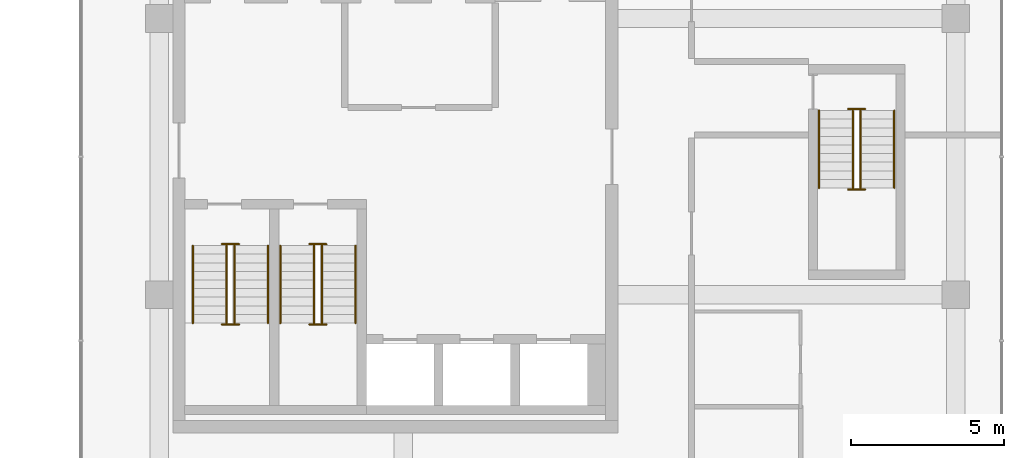
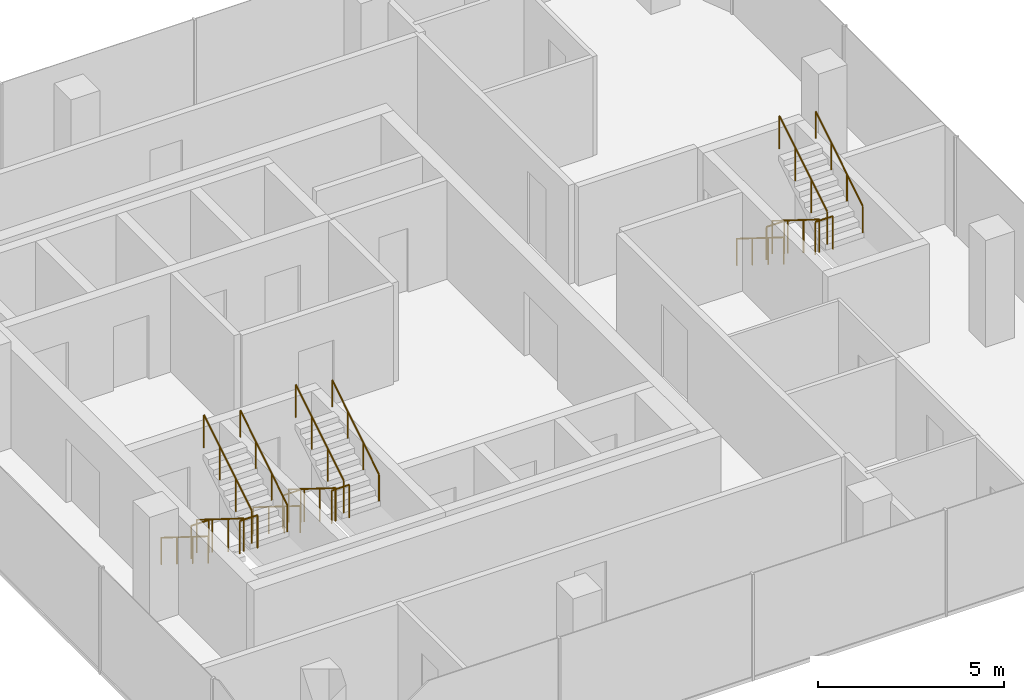
# One storey, part 22 of 22: 18 railings.
"""IFC4 building model written with IfcOpenShell, lengths in metres."""

from ifc_helpers import new_model, si_unit, direction, frame, origin, origin_2d, place, context, subcontext, project, spatial, circle, extrude, material, type_object, element, save


model = new_model("IFC4")

# Units and contexts
model_context = context("Model", 3, precision=1e-05, world=origin(), true_north=direction((0.0, 1.0)))
body_context = subcontext(model_context, "Body", "Model", "MODEL_VIEW")
ifc_project = project(units=[si_unit("LENGTHUNIT", "METRE"), si_unit("AREAUNIT", "SQUARE_METRE"), si_unit("VOLUMEUNIT", "CUBIC_METRE"), si_unit("PLANEANGLEUNIT", "RADIAN"), si_unit("MASSUNIT", "GRAM", prefix="KILO")], contexts=[model_context])

# Site, building, storey
site_placement = place(None, origin())
site = spatial("IfcSite", under=ifc_project, at=site_placement, CompositionType="ELEMENT")
building_placement = place(site_placement, origin())
building = spatial("IfcBuilding", under=site, at=building_placement, Name="Plateau Cross Towers", CompositionType="ELEMENT")
storey_placement = place(building_placement, frame((0.0, 0.0, 106.300048828125)))
storey = spatial("IfcBuildingStorey", under=building, at=storey_placement, Name="L27", CompositionType="ELEMENT", Elevation=106.300048828125)

# Railings
ifc_material_1 = material(Name="Stainless steel and toughened glass", Category="steel")
railing_type_1 = type_object("IfcRailingType", Name="RL-GUARD-1100", PredefinedType="GUARDRAIL", material=ifc_material_1)
railing_1_placement = place(storey_placement, frame((76.75, 6.10009765625, 0.175048828125)))
element("IfcRailing", 1, at=railing_1_placement, inside=storey, type_object=railing_type_1, Name="L27 SB-1 stair guard 1", PredefinedType="GUARDRAIL", context=body_context, shape_type="SweptSolid", body=[
    extrude(circle(Radius=0.02392578125, at=origin_2d()), frame((0.0, 0.0, 1.076171875), z_axis=(0.0, -0.848007534815, 0.529984170421), x_axis=(1.0, 0.0, 0.0)), (0.0, 0.0, 1.0), 2.9716796875),
    extrude(circle(Radius=0.02099609375, at=origin_2d()), origin(), (0.0, 0.0, 1.0), 1.052001953125),
    extrude(circle(Radius=0.02099609375, at=origin_2d()), frame((0.0, -0.840087890625, 0.52490234375)), (0.0, 0.0, 1.0), 1.052001953125),
    extrude(circle(Radius=0.02099609375, at=origin_2d()), frame((0.0, -1.679931640625, 1.050048828125)), (0.0, 0.0, 1.0), 1.052001953125),
    extrude(circle(Radius=0.02099609375, at=origin_2d()), frame((0.0, -2.52001953125, 1.574951171875)), (0.0, 0.0, 1.0), 1.052001953125),
])
railing_2_placement = place(storey_placement, frame((76.60009765625, 3.530029296875, 1.75)))
element("IfcRailing", 2, at=railing_2_placement, inside=storey, type_object=railing_type_1, Name="L27 SB-1 stair guard 2", PredefinedType="GUARDRAIL", context=body_context, shape_type="SweptSolid", body=[
    extrude(circle(Radius=0.02392578125, at=origin_2d()), frame((0.0, 0.0, 1.076171875), z_axis=(1.0, 0.0, 0.0), x_axis=(0.0, 1.0, 0.0)), (0.0, 0.0, 1.0), 0.5498046875),
    extrude(circle(Radius=0.02099609375, at=origin_2d()), origin(), (0.0, 0.0, 1.0), 1.052001953125),
    extrude(circle(Radius=0.02099609375, at=origin_2d()), frame((0.5498046875, 0.0, 0.0)), (0.0, 0.0, 1.0), 1.052001953125),
])
railing_3_placement = place(storey_placement, frame((77.0, 3.580078125, 1.925048828125)))
element("IfcRailing", 3, at=railing_3_placement, inside=storey, type_object=railing_type_1, Name="L27 SB-1 stair guard 3", PredefinedType="GUARDRAIL", context=body_context, shape_type="SweptSolid", body=[
    extrude(circle(Radius=0.02392578125, at=origin_2d()), frame((0.0, 0.0, 1.076171875), z_axis=(0.0, 0.852616386126, 0.522537365276), x_axis=(-1.0, 0.0, 0.0)), (0.0, 0.0, 1.0), 3.01416015625),
    extrude(circle(Radius=0.02099609375, at=origin_2d()), origin(), (0.0, 0.0, 1.0), 1.052001953125),
    extrude(circle(Radius=0.02099609375, at=origin_2d()), frame((0.0, 0.856689453125, 0.52490234375)), (0.0, 0.0, 1.0), 1.052001953125),
    extrude(circle(Radius=0.02099609375, at=origin_2d()), frame((0.0, 1.713134765625, 1.050048828125)), (0.0, 0.0, 1.0), 1.052001953125),
    extrude(circle(Radius=0.02099609375, at=origin_2d()), frame((0.0, 2.56982421875, 1.574951171875)), (0.0, 0.0, 1.0), 1.052001953125),
])
railing_4_placement = place(storey_placement, frame((76.60009765625, 6.14990234375, 0.0)))
element("IfcRailing", 4, at=railing_4_placement, inside=storey, type_object=railing_type_1, Name="L27 SB-1 stair guard 4", PredefinedType="GUARDRAIL", context=body_context, shape_type="SweptSolid", body=[
    extrude(circle(Radius=0.02392578125, at=origin_2d()), frame((0.0, 0.0, 1.076171875), z_axis=(1.0, 0.0, 0.0), x_axis=(0.0, 1.0, 0.0)), (0.0, 0.0, 1.0), 0.5498046875),
    extrude(circle(Radius=0.02099609375, at=origin_2d()), origin(), (0.0, 0.0, 1.0), 1.052001953125),
    extrude(circle(Radius=0.02099609375, at=origin_2d()), frame((0.5498046875, 0.0, 0.0)), (0.0, 0.0, 1.0), 1.052001953125),
])
railing_5_placement = place(storey_placement, frame((79.60009765625, 6.10009765625, 0.175048828125)))
element("IfcRailing", 5, at=railing_5_placement, inside=storey, type_object=railing_type_1, Name="L27 SB-2 stair guard 1", PredefinedType="GUARDRAIL", context=body_context, shape_type="SweptSolid", body=[
    extrude(circle(Radius=0.02392578125, at=origin_2d()), frame((0.0, 0.0, 1.076171875), z_axis=(0.0, -0.848007534815, 0.529984170421), x_axis=(1.0, 0.0, 0.0)), (0.0, 0.0, 1.0), 2.9716796875),
    extrude(circle(Radius=0.02099609375, at=origin_2d()), origin(), (0.0, 0.0, 1.0), 1.052001953125),
    extrude(circle(Radius=0.02099609375, at=origin_2d()), frame((0.0, -0.840087890625, 0.52490234375)), (0.0, 0.0, 1.0), 1.052001953125),
    extrude(circle(Radius=0.02099609375, at=origin_2d()), frame((0.0, -1.679931640625, 1.050048828125)), (0.0, 0.0, 1.0), 1.052001953125),
    extrude(circle(Radius=0.02099609375, at=origin_2d()), frame((0.0, -2.52001953125, 1.574951171875)), (0.0, 0.0, 1.0), 1.052001953125),
])
railing_6_placement = place(storey_placement, frame((79.449951171875, 3.530029296875, 1.75)))
element("IfcRailing", 6, at=railing_6_placement, inside=storey, type_object=railing_type_1, Name="L27 SB-2 stair guard 2", PredefinedType="GUARDRAIL", context=body_context, shape_type="SweptSolid", body=[
    extrude(circle(Radius=0.02392578125, at=origin_2d()), frame((0.0, 0.0, 1.076171875), z_axis=(1.0, 0.0, 0.0), x_axis=(0.0, 1.0, 0.0)), (0.0, 0.0, 1.0), 0.550048828125),
    extrude(circle(Radius=0.02099609375, at=origin_2d()), origin(), (0.0, 0.0, 1.0), 1.052001953125),
    extrude(circle(Radius=0.02099609375, at=origin_2d()), frame((0.550048828125, 0.0, 0.0)), (0.0, 0.0, 1.0), 1.052001953125),
])
railing_7_placement = place(storey_placement, frame((79.85009765625, 3.580078125, 1.925048828125)))
element("IfcRailing", 7, at=railing_7_placement, inside=storey, type_object=railing_type_1, Name="L27 SB-2 stair guard 3", PredefinedType="GUARDRAIL", context=body_context, shape_type="SweptSolid", body=[
    extrude(circle(Radius=0.02392578125, at=origin_2d()), frame((0.0, 0.0, 1.076171875), z_axis=(0.0, 0.852616386126, 0.522537365276), x_axis=(-1.0, 0.0, 0.0)), (0.0, 0.0, 1.0), 3.01416015625),
    extrude(circle(Radius=0.02099609375, at=origin_2d()), origin(), (0.0, 0.0, 1.0), 1.052001953125),
    extrude(circle(Radius=0.02099609375, at=origin_2d()), frame((0.0, 0.856689453125, 0.52490234375)), (0.0, 0.0, 1.0), 1.052001953125),
    extrude(circle(Radius=0.02099609375, at=origin_2d()), frame((0.0, 1.713134765625, 1.050048828125)), (0.0, 0.0, 1.0), 1.052001953125),
    extrude(circle(Radius=0.02099609375, at=origin_2d()), frame((0.0, 2.56982421875, 1.574951171875)), (0.0, 0.0, 1.0), 1.052001953125),
])
railing_8_placement = place(storey_placement, frame((79.449951171875, 6.14990234375, 0.0)))
element("IfcRailing", 8, at=railing_8_placement, inside=storey, type_object=railing_type_1, Name="L27 SB-2 stair guard 4", PredefinedType="GUARDRAIL", context=body_context, shape_type="SweptSolid", body=[
    extrude(circle(Radius=0.02392578125, at=origin_2d()), frame((0.0, 0.0, 1.076171875), z_axis=(1.0, 0.0, 0.0), x_axis=(0.0, 1.0, 0.0)), (0.0, 0.0, 1.0), 0.550048828125),
    extrude(circle(Radius=0.02099609375, at=origin_2d()), origin(), (0.0, 0.0, 1.0), 1.052001953125),
    extrude(circle(Radius=0.02099609375, at=origin_2d()), frame((0.550048828125, 0.0, 0.0)), (0.0, 0.0, 1.0), 1.052001953125),
])
railing_9_placement = place(storey_placement, frame((97.14990234375, 10.5, 0.175048828125)))
element("IfcRailing", 9, at=railing_9_placement, inside=storey, type_object=railing_type_1, Name="L27 SB-3 stair guard 1", PredefinedType="GUARDRAIL", context=body_context, shape_type="SweptSolid", body=[
    extrude(circle(Radius=0.02392578125, at=origin_2d()), frame((0.0, 0.0, 1.076171875), z_axis=(0.0, -0.848007534815, 0.529984170421), x_axis=(1.0, 0.0, 0.0)), (0.0, 0.0, 1.0), 2.9716796875),
    extrude(circle(Radius=0.02099609375, at=origin_2d()), origin(), (0.0, 0.0, 1.0), 1.052001953125),
    extrude(circle(Radius=0.02099609375, at=origin_2d()), frame((0.0, -0.840087890625, 0.52490234375)), (0.0, 0.0, 1.0), 1.052001953125),
    extrude(circle(Radius=0.02099609375, at=origin_2d()), frame((0.0, -1.679931640625, 1.050048828125)), (0.0, 0.0, 1.0), 1.052001953125),
    extrude(circle(Radius=0.02099609375, at=origin_2d()), frame((0.0, -2.52001953125, 1.574951171875)), (0.0, 0.0, 1.0), 1.052001953125),
])
railing_10_placement = place(storey_placement, frame((97.0, 7.929931640625, 1.75)))
element("IfcRailing", 10, at=railing_10_placement, inside=storey, type_object=railing_type_1, Name="L27 SB-3 stair guard 2", PredefinedType="GUARDRAIL", context=body_context, shape_type="SweptSolid", body=[
    extrude(circle(Radius=0.02392578125, at=origin_2d()), frame((0.0, 0.0, 1.076171875), z_axis=(1.0, 0.0, 0.0), x_axis=(0.0, 1.0, 0.0)), (0.0, 0.0, 1.0), 0.550048828125),
    extrude(circle(Radius=0.02099609375, at=origin_2d()), origin(), (0.0, 0.0, 1.0), 1.052001953125),
    extrude(circle(Radius=0.02099609375, at=origin_2d()), frame((0.550048828125, 0.0, 0.0)), (0.0, 0.0, 1.0), 1.052001953125),
])
railing_11_placement = place(storey_placement, frame((97.39990234375, 7.97998046875, 1.925048828125)))
element("IfcRailing", 11, at=railing_11_placement, inside=storey, type_object=railing_type_1, Name="L27 SB-3 stair guard 3", PredefinedType="GUARDRAIL", context=body_context, shape_type="SweptSolid", body=[
    extrude(circle(Radius=0.02392578125, at=origin_2d()), frame((0.0, 0.0, 1.076171875), z_axis=(0.0, 0.852638500773, 0.522501279423), x_axis=(-1.0, 0.0, 0.0)), (0.0, 0.0, 1.0), 3.01416015625),
    extrude(circle(Radius=0.02099609375, at=origin_2d()), origin(), (0.0, 0.0, 1.0), 1.052001953125),
    extrude(circle(Radius=0.02099609375, at=origin_2d()), frame((0.0, 0.856689453125, 0.52490234375)), (0.0, 0.0, 1.0), 1.052001953125),
    extrude(circle(Radius=0.02099609375, at=origin_2d()), frame((0.0, 1.71337890625, 1.050048828125)), (0.0, 0.0, 1.0), 1.052001953125),
    extrude(circle(Radius=0.02099609375, at=origin_2d()), frame((0.0, 2.570068359375, 1.574951171875)), (0.0, 0.0, 1.0), 1.052001953125),
])
railing_12_placement = place(storey_placement, frame((97.0, 10.550048828125, 0.0)))
element("IfcRailing", 12, at=railing_12_placement, inside=storey, type_object=railing_type_1, Name="L27 SB-3 stair guard 4", PredefinedType="GUARDRAIL", context=body_context, shape_type="SweptSolid", body=[
    extrude(circle(Radius=0.02392578125, at=origin_2d()), frame((0.0, 0.0, 1.076171875), z_axis=(1.0, 0.0, 0.0), x_axis=(0.0, 1.0, 0.0)), (0.0, 0.0, 1.0), 0.550048828125),
    extrude(circle(Radius=0.02099609375, at=origin_2d()), origin(), (0.0, 0.0, 1.0), 1.052001953125),
    extrude(circle(Radius=0.02099609375, at=origin_2d()), frame((0.550048828125, 0.0, 0.0)), (0.0, 0.0, 1.0), 1.052001953125),
])
ifc_material_2 = material(Name="Black anodised aluminium", Category="aluminium")
railing_type_2 = type_object("IfcRailingType", Name="RL-HANDRAIL-900", PredefinedType="HANDRAIL", material=ifc_material_2)
railing_13_placement = place(storey_placement, frame((75.64990234375, 6.10009765625, 0.175048828125)))
element("IfcRailing", 13, at=railing_13_placement, inside=storey, type_object=railing_type_2, Name="L27 SB-1 stair handrail 1", PredefinedType="HANDRAIL", context=body_context, shape_type="SweptSolid", body=[
    extrude(circle(Radius=0.02392578125, at=origin_2d()), frame((0.0, 0.0, 0.8759765625), z_axis=(0.0, -0.848007534815, 0.529984170421), x_axis=(1.0, 0.0, 0.0)), (0.0, 0.0, 1.0), 2.9716796875),
    extrude(circle(Radius=0.02099609375, at=origin_2d()), origin(), (0.0, 0.0, 1.0), 0.851806640625),
    extrude(circle(Radius=0.02099609375, at=origin_2d()), frame((0.0, -0.840087890625, 0.52490234375)), (0.0, 0.0, 1.0), 0.851806640625),
    extrude(circle(Radius=0.02099609375, at=origin_2d()), frame((0.0, -1.679931640625, 1.050048828125)), (0.0, 0.0, 1.0), 0.851806640625),
    extrude(circle(Radius=0.02099609375, at=origin_2d()), frame((0.0, -2.52001953125, 1.574951171875)), (0.0, 0.0, 1.0), 0.851806640625),
])
railing_14_placement = place(storey_placement, frame((78.10009765625, 3.580078125, 1.925048828125)))
element("IfcRailing", 14, at=railing_14_placement, inside=storey, type_object=railing_type_2, Name="L27 SB-1 stair handrail 2", PredefinedType="HANDRAIL", context=body_context, shape_type="SweptSolid", body=[
    extrude(circle(Radius=0.02392578125, at=origin_2d()), frame((0.0, 0.0, 0.8759765625), z_axis=(0.0, 0.848007534815, 0.529984170421), x_axis=(-1.0, 0.0, 0.0)), (0.0, 0.0, 1.0), 2.9716796875),
    extrude(circle(Radius=0.02099609375, at=origin_2d()), origin(), (0.0, 0.0, 1.0), 0.851806640625),
    extrude(circle(Radius=0.02099609375, at=origin_2d()), frame((0.0, 0.840087890625, 0.52490234375)), (0.0, 0.0, 1.0), 0.851806640625),
    extrude(circle(Radius=0.02099609375, at=origin_2d()), frame((0.0, 1.679931640625, 1.050048828125)), (0.0, 0.0, 1.0), 0.851806640625),
    extrude(circle(Radius=0.02099609375, at=origin_2d()), frame((0.0, 2.52001953125, 1.574951171875)), (0.0, 0.0, 1.0), 0.851806640625),
])
railing_15_placement = place(storey_placement, frame((78.5, 6.10009765625, 0.175048828125)))
element("IfcRailing", 15, at=railing_15_placement, inside=storey, type_object=railing_type_2, Name="L27 SB-2 stair handrail 1", PredefinedType="HANDRAIL", context=body_context, shape_type="SweptSolid", body=[
    extrude(circle(Radius=0.02392578125, at=origin_2d()), frame((0.0, 0.0, 0.8759765625), z_axis=(0.0, -0.848007534815, 0.529984170421), x_axis=(1.0, 0.0, 0.0)), (0.0, 0.0, 1.0), 2.9716796875),
    extrude(circle(Radius=0.02099609375, at=origin_2d()), origin(), (0.0, 0.0, 1.0), 0.851806640625),
    extrude(circle(Radius=0.02099609375, at=origin_2d()), frame((0.0, -0.840087890625, 0.52490234375)), (0.0, 0.0, 1.0), 0.851806640625),
    extrude(circle(Radius=0.02099609375, at=origin_2d()), frame((0.0, -1.679931640625, 1.050048828125)), (0.0, 0.0, 1.0), 0.851806640625),
    extrude(circle(Radius=0.02099609375, at=origin_2d()), frame((0.0, -2.52001953125, 1.574951171875)), (0.0, 0.0, 1.0), 0.851806640625),
])
railing_16_placement = place(storey_placement, frame((80.949951171875, 3.580078125, 1.925048828125)))
element("IfcRailing", 16, at=railing_16_placement, inside=storey, type_object=railing_type_2, Name="L27 SB-2 stair handrail 2", PredefinedType="HANDRAIL", context=body_context, shape_type="SweptSolid", body=[
    extrude(circle(Radius=0.02392578125, at=origin_2d()), frame((0.0, 0.0, 0.8759765625), z_axis=(0.0, 0.848007534815, 0.529984170421), x_axis=(-1.0, 0.0, 0.0)), (0.0, 0.0, 1.0), 2.9716796875),
    extrude(circle(Radius=0.02099609375, at=origin_2d()), origin(), (0.0, 0.0, 1.0), 0.851806640625),
    extrude(circle(Radius=0.02099609375, at=origin_2d()), frame((0.0, 0.840087890625, 0.52490234375)), (0.0, 0.0, 1.0), 0.851806640625),
    extrude(circle(Radius=0.02099609375, at=origin_2d()), frame((0.0, 1.679931640625, 1.050048828125)), (0.0, 0.0, 1.0), 0.851806640625),
    extrude(circle(Radius=0.02099609375, at=origin_2d()), frame((0.0, 2.52001953125, 1.574951171875)), (0.0, 0.0, 1.0), 0.851806640625),
])
railing_17_placement = place(storey_placement, frame((96.050048828125, 10.5, 0.175048828125)))
element("IfcRailing", 17, at=railing_17_placement, inside=storey, type_object=railing_type_2, Name="L27 SB-3 stair handrail 1", PredefinedType="HANDRAIL", context=body_context, shape_type="SweptSolid", body=[
    extrude(circle(Radius=0.02392578125, at=origin_2d()), frame((0.0, 0.0, 0.8759765625), z_axis=(0.0, -0.848007534815, 0.529984170421), x_axis=(1.0, 0.0, 0.0)), (0.0, 0.0, 1.0), 2.9716796875),
    extrude(circle(Radius=0.02099609375, at=origin_2d()), origin(), (0.0, 0.0, 1.0), 0.851806640625),
    extrude(circle(Radius=0.02099609375, at=origin_2d()), frame((0.0, -0.840087890625, 0.52490234375)), (0.0, 0.0, 1.0), 0.851806640625),
    extrude(circle(Radius=0.02099609375, at=origin_2d()), frame((0.0, -1.679931640625, 1.050048828125)), (0.0, 0.0, 1.0), 0.851806640625),
    extrude(circle(Radius=0.02099609375, at=origin_2d()), frame((0.0, -2.52001953125, 1.574951171875)), (0.0, 0.0, 1.0), 0.851806640625),
])
railing_18_placement = place(storey_placement, frame((98.5, 7.97998046875, 1.925048828125)))
element("IfcRailing", 18, at=railing_18_placement, inside=storey, type_object=railing_type_2, Name="L27 SB-3 stair handrail 2", PredefinedType="HANDRAIL", context=body_context, shape_type="SweptSolid", body=[
    extrude(circle(Radius=0.02392578125, at=origin_2d()), frame((0.0, 0.0, 0.8759765625), z_axis=(0.0, 0.848007534815, 0.529984170421), x_axis=(-1.0, 0.0, 0.0)), (0.0, 0.0, 1.0), 2.9716796875),
    extrude(circle(Radius=0.02099609375, at=origin_2d()), origin(), (0.0, 0.0, 1.0), 0.851806640625),
    extrude(circle(Radius=0.02099609375, at=origin_2d()), frame((0.0, 0.840087890625, 0.52490234375)), (0.0, 0.0, 1.0), 0.851806640625),
    extrude(circle(Radius=0.02099609375, at=origin_2d()), frame((0.0, 1.679931640625, 1.050048828125)), (0.0, 0.0, 1.0), 0.851806640625),
    extrude(circle(Radius=0.02099609375, at=origin_2d()), frame((0.0, 2.52001953125, 1.574951171875)), (0.0, 0.0, 1.0), 0.851806640625),
])

save(model, "model.ifc")
